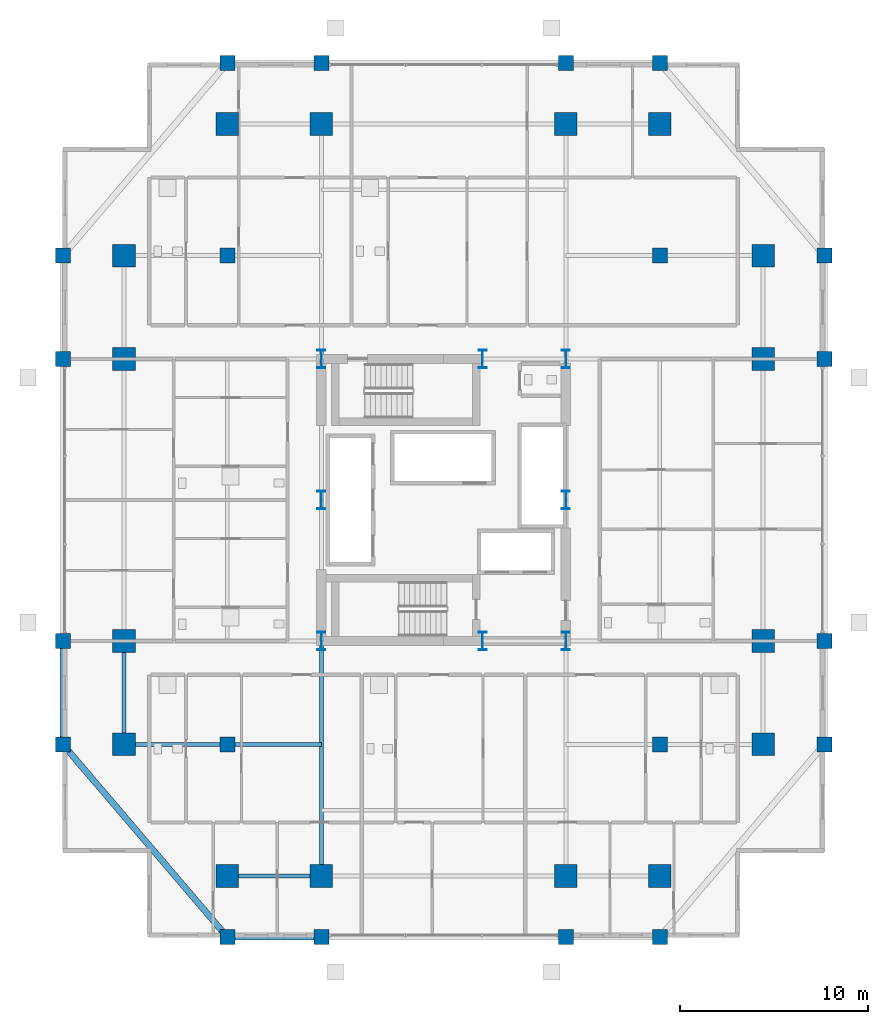
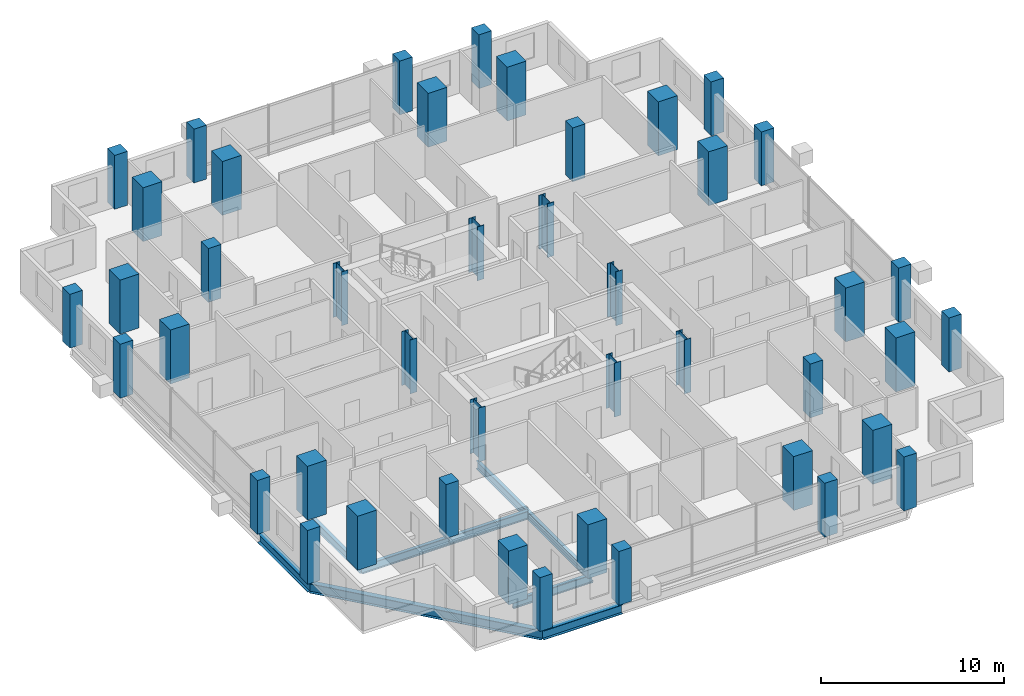
# One storey, part 1 of 20: 44 columns, 8 beams.
"""IFC4 building model written with IfcOpenShell, lengths in metres."""

import ifcopenshell
import ifcopenshell.guid

model = None  # the IFC model being written
_history = None  # IfcOwnerHistory: only IFC2X3 demands one
_inside = {}  # id of a spatial element -> (the spatial element, [elements in it])
_under = {}  # id of a project, library or spatial element -> (it, [spatial elements below it])
_declared = {}  # id of a project -> (the project, [libraries it declares])
_typed = {}  # id of a type object -> (the type object, [elements of that type])
_made_of = {}  # id of a material, layer set ... -> (it, [elements and type objects made of it])


def new_model(schema):
    """Start an empty IFC model of exactly this schema.

    Asked for "IFC4X3", IfcOpenShell would pick the latest addendum, in which some entities
    have other attributes; the version numbers below select the first issue.
    IFC2X3 requires an IfcOwnerHistory on every rooted entity: one is made here for all.
    """
    global model, _history
    if schema == "IFC4X3":
        model = ifcopenshell.file(schema_version=(4, 3, 0, 0))
    else:
        model = ifcopenshell.file(schema=schema)
    _inside.clear()
    _under.clear()
    _declared.clear()
    _typed.clear()
    _made_of.clear()
    _history = None
    if model.schema == "IFC2X3":
        org = make("IfcOrganization", Name="unknown")
        user = make(
            "IfcPersonAndOrganization",
            ThePerson=make("IfcPerson", FamilyName="unknown"),
            TheOrganization=org,
        )
        app = make(
            "IfcApplication",
            ApplicationDeveloper=org,
            Version="unknown",
            ApplicationFullName="unknown",
            ApplicationIdentifier="unknown",
        )
        _history = make(
            "IfcOwnerHistory",
            OwningUser=user,
            OwningApplication=app,
            ChangeAction="ADDED",
            CreationDate=0,
        )
    return model


def make(cls, **values):
    """One entity of the class cls with the attributes given. An attribute that is None is left unset."""
    return model.create_entity(
        cls, **{name: value for name, value in values.items() if value is not None}
    )


def rooted(cls, **values):
    """An entity with a GlobalId (a new one), such as an element, a storey or a relation."""
    return make(cls, GlobalId=ifcopenshell.guid.new(), OwnerHistory=_history, **values)


def si_unit(unit_type, name, prefix=None):
    """IfcSIUnit, for example si_unit("LENGTHUNIT", "METRE", prefix="MILLI")."""
    return make("IfcSIUnit", UnitType=unit_type, Prefix=prefix, Name=name)


def assignment(units):
    """IfcUnitAssignment: the units of a project."""
    return None if units is None else make("IfcUnitAssignment", Units=units)


def point(xyz):
    """IfcCartesianPoint."""
    return None if xyz is None else make("IfcCartesianPoint", Coordinates=xyz)


def direction(xyz):
    """IfcDirection."""
    return None if xyz is None else make("IfcDirection", DirectionRatios=xyz)


def frame(location, z_axis=None, x_axis=None):
    """IfcAxis2Placement3D, a coordinate frame: its origin and axes. An axis left out is left unset."""
    return make(
        "IfcAxis2Placement3D",
        Location=point(location),
        Axis=direction(z_axis),
        RefDirection=direction(x_axis),
    )


def frame_2d(location, x_axis=None):
    """IfcAxis2Placement2D, a coordinate frame in the plane: its origin and x axis."""
    return make(
        "IfcAxis2Placement2D", Location=point(location), RefDirection=direction(x_axis)
    )


def origin():
    """The frame at (0, 0, 0) with its axes left unset."""
    return frame((0.0, 0.0, 0.0))


def origin_2d():
    """The frame at (0, 0) in the plane with its x axis left unset."""
    return frame_2d((0.0, 0.0))


def place(relative_to, where):
    """IfcLocalPlacement: puts the frame where relative to a parent placement (None: the world)."""
    return make(
        "IfcLocalPlacement", PlacementRelTo=relative_to, RelativePlacement=where
    )


def context(
    kind, dimensions, precision=None, world=None, true_north=None, identifier=None
):
    """IfcGeometricRepresentationContext, for example the 3D "Model" context."""
    return make(
        "IfcGeometricRepresentationContext",
        ContextIdentifier=identifier,
        ContextType=kind,
        CoordinateSpaceDimension=dimensions,
        Precision=precision,
        WorldCoordinateSystem=world,
        TrueNorth=true_north,
    )


def subcontext(parent, identifier, kind, view, scale=None):
    """IfcGeometricRepresentationSubContext, for example "Body" below "Model"."""
    return make(
        "IfcGeometricRepresentationSubContext",
        ContextIdentifier=identifier,
        ContextType=kind,
        ParentContext=parent,
        TargetScale=scale,
        TargetView=view,
    )


def project(units=None, contexts=None):
    """IfcProject with its units and contexts."""
    return rooted(
        "IfcProject",
        Name="project",
        RepresentationContexts=contexts,
        UnitsInContext=assignment(units),
    )


def spatial(cls, under=None, at=None, **own):
    """A site, building, storey or space (cls), placed at a placement, below another one or the project."""
    s = rooted(cls, ObjectPlacement=at, **own)
    if under is not None:
        _under.setdefault(under.id(), (under, []))[1].append(s)
    return s


def profile(cls, at=None, kind="AREA", **sizes):
    """A parametric profile (cls). Its sizes go by their IFC names, for example OverallWidth=200.0."""
    return make(cls, ProfileType=kind, Position=at, **sizes)


def rectangle(**sizes):
    """IfcRectangleProfileDef."""
    return profile("IfcRectangleProfileDef", **sizes)


def i_section(**sizes):
    """IfcIShapeProfileDef."""
    return profile("IfcIShapeProfileDef", **sizes)


def extrude(swept, where, along, depth):
    """IfcExtrudedAreaSolid: the profile swept, set in the frame where, extruded along a direction by depth."""
    return make(
        "IfcExtrudedAreaSolid",
        SweptArea=swept,
        Position=where,
        ExtrudedDirection=direction(along),
        Depth=depth,
    )


def shape(context_of_items, identifier, shape_type, items):
    """IfcShapeRepresentation: the items that make up one representation, for example the "Body"."""
    return make(
        "IfcShapeRepresentation",
        ContextOfItems=context_of_items,
        RepresentationIdentifier=identifier,
        RepresentationType=shape_type,
        Items=items,
    )


def material(Name=None, Category=None):
    """IfcMaterial."""
    return make("IfcMaterial", Name=Name, Category=Category)


def material_profile(
    of_material, cross_section, Name=None, Category=None, Priority=None
):
    """IfcMaterialProfile: a cross section and its material."""
    return make(
        "IfcMaterialProfile",
        Name=Name,
        Material=of_material,
        Profile=cross_section,
        Priority=Priority,
        Category=Category,
    )


def profile_set(profiles, Name=None, composite=None):
    """IfcMaterialProfileSet."""
    return make(
        "IfcMaterialProfileSet",
        Name=Name,
        MaterialProfiles=profiles,
        CompositeProfile=composite,
    )


def made_of(thing, what):
    """Note that an element or type object is made of a material, layer set ...; save() writes the relation."""
    if what is not None:
        _made_of.setdefault(what.id(), (what, []))[1].append(thing)
    return thing


def type_object(cls, material=None, **own):
    """A type object (cls), such as IfcWallType, which elements share."""
    return made_of(rooted(cls, **own), material)


def element(
    cls,
    number,
    at=None,
    inside=None,
    cuts=None,
    type_object=None,
    material=None,
    context=None,
    identifier="Body",
    shape_type=None,
    held_by="IfcProductDefinitionShape",
    body=None,
    shapes=None,
    **own,
):
    """One element of the class cls, such as IfcWall. Its Tag is "e" and its number.

    at: its placement. inside: the storey or other place that contains it. cuts: it is an
    opening in that element (IfcRelVoidsElement). A single representation is given by context,
    identifier, shape_type and body (its items); several are given by shapes. held_by: the class
    of the entity that holds the representations. save() writes the other relations.
    """
    e = rooted(cls, Tag="e%d" % number, ObjectPlacement=at, **own)
    if body is not None:
        shapes = [shape(context, identifier, shape_type, body)]
    if shapes is not None:
        e.Representation = make(held_by, Representations=shapes)
    if inside is not None:
        _inside.setdefault(inside.id(), (inside, []))[1].append(e)
    if cuts is not None:
        rooted(
            "IfcRelVoidsElement", RelatingBuildingElement=cuts, RelatedOpeningElement=e
        )
    if type_object is not None:
        _typed.setdefault(type_object.id(), (type_object, []))[1].append(e)
    return made_of(e, material)


def aggregate(whole, parts):
    """IfcRelAggregates: a whole, such as a stair, and the parts it consists of."""
    return rooted("IfcRelAggregates", RelatingObject=whole, RelatedObjects=parts)


def save(model, path):
    """Write the relations noted so far, then the file.

    IfcRelAggregates (storeys below a building ...), IfcRelContainedInSpatialStructure (elements
    in a storey), IfcRelDefinesByType, IfcRelAssociatesMaterial and IfcRelDeclares: one each for
    every whole, place, type object, material and project.
    """
    for whole, parts in _under.values():
        aggregate(whole, parts)
    for where, things in _inside.values():
        rooted(
            "IfcRelContainedInSpatialStructure",
            RelatedElements=things,
            RelatingStructure=where,
        )
    for kind, things in _typed.values():
        rooted("IfcRelDefinesByType", RelatedObjects=things, RelatingType=kind)
    for what, things in _made_of.values():
        rooted("IfcRelAssociatesMaterial", RelatedObjects=things, RelatingMaterial=what)
    for by, libraries in _declared.values():
        rooted("IfcRelDeclares", RelatingContext=by, RelatedDefinitions=libraries)
    model.write(path)


model = new_model("IFC4")

# Units and contexts
model_context = context("Model", 3, precision=1e-05, world=origin(), true_north=direction((0.0, 1.0)))
body_context = subcontext(model_context, "Body", "Model", "MODEL_VIEW")
ifc_project = project(units=[si_unit("LENGTHUNIT", "METRE"), si_unit("AREAUNIT", "SQUARE_METRE"), si_unit("VOLUMEUNIT", "CUBIC_METRE"), si_unit("PLANEANGLEUNIT", "RADIAN"), si_unit("MASSUNIT", "GRAM", prefix="KILO")], contexts=[model_context])

# Site, building, storey
site_placement = place(None, origin())
site = spatial("IfcSite", under=ifc_project, at=site_placement, CompositionType="ELEMENT")
building_placement = place(site_placement, origin())
building = spatial("IfcBuilding", under=site, at=building_placement, Name="Barlavira Tower and Art Museum", CompositionType="ELEMENT")
storey_placement = place(building_placement, frame((0.0, 0.0, 102.60009765625)))
storey = spatial("IfcBuildingStorey", under=building, at=storey_placement, Name="L25", CompositionType="ELEMENT", Elevation=102.60009765625)

# Columns
ifc_material_1 = material(Name="Steel S355", Category="steel")
ifc_material_profile_1 = material_profile(ifc_material_1, i_section(OverallWidth=0.419921875, OverallDepth=0.9599609375, WebThickness=0.02197265625, FlangeThickness=0.033935546875, at=origin_2d()), Name="W920x387.0")
ifc_profile_set_1 = profile_set([ifc_material_profile_1], Name="Steel S355")
column_type_1 = type_object("IfcColumnType", Name="Core Composite Column W920x387 Steel S355", PredefinedType="COLUMN", material=ifc_profile_set_1)
for number, where, z_axis, x_axis, name in (
    (1, (-6.5, -7.5, 0.0), (0.0, 0.0, 1.0), (1.0, 0.0, 0.0), "L25 Column CC-L25-C1"),
    (2, (2.080078125, -7.5, 0.0), (0.0, 0.0, 1.0), (1.0, 0.0, 0.0), "L25 Column CC-L25-C2"),
    (3, (6.5, -7.5, 0.0), (0.0, 0.0, 1.0), (1.0, 0.0, 0.0), "L25 Column CC-L25-C3"),
    (4, (-6.5, 0.0, 0.0), (0.0, 0.0, 1.0), (1.0, 0.0, 0.0), "L25 Column CC-L25-C4"),
    (5, (6.5, 0.0, 0.0), (0.0, 0.0, 1.0), (1.0, 0.0, 0.0), "L25 Column CC-L25-C5"),
    (6, (-6.5, 7.5, 0.0), (0.0, 0.0, 1.0), (1.0, 0.0, 0.0), "L25 Column CC-L25-C6"),
    (7, (2.080078125, 7.5, 0.0), (0.0, 0.0, 1.0), (1.0, 0.0, 0.0), "L25 Column CC-L25-C7"),
    (8, (6.5, 7.5, 0.0), (0.0, 0.0, 1.0), (1.0, 0.0, 0.0), "L25 Column CC-L25-C8"),
):
    element("IfcColumn", number, at=place(storey_placement, frame(where, z_axis=z_axis, x_axis=x_axis)), inside=storey, type_object=column_type_1, Name=name, PredefinedType="COLUMN", context=body_context, shape_type="SweptSolid", body=[
        extrude(i_section(OverallWidth=0.419921875, OverallDepth=0.9599609375, WebThickness=0.02197265625, FlangeThickness=0.033935546875, at=origin_2d()), origin(), (0.0, 0.0, 1.0), 3.599853515625),
    ])
ifc_material_2 = material(Name="Concrete C60", Category="concrete")
ifc_material_profile_2 = material_profile(ifc_material_2, rectangle(XDim=1.199951171875, YDim=1.199951171875, at=origin_2d()), Name="RC-COL 1200x1200")
ifc_profile_set_2 = profile_set([ifc_material_profile_2], Name="Concrete C60")
column_type_2 = type_object("IfcColumnType", Name="Perimeter Mega Column 1200x1200 Concrete C60", PredefinedType="USERDEFINED", material=ifc_profile_set_2)
for number, where, z_axis, x_axis, name in (
    (9, (-11.5, -20.0, 0.0), (0.0, 0.0, 1.0), (1.0, 0.0, 0.0), "L25 Column MC-L25-M01"),
    (10, (-6.5, -20.0, 0.0), (0.0, 0.0, 1.0), (1.0, 0.0, 0.0), "L25 Column MC-L25-M02"),
    (11, (6.5, -20.0, 0.0), (0.0, 0.0, 1.0), (1.0, 0.0, 0.0), "L25 Column MC-L25-M03"),
    (12, (11.5, -20.0, 0.0), (0.0, 0.0, 1.0), (1.0, 0.0, 0.0), "L25 Column MC-L25-M04"),
    (13, (17.0, -13.0, 0.0), (0.0, 0.0, 1.0), (1.0, 0.0, 0.0), "L25 Column MC-L25-M05"),
    (14, (17.0, -7.5, 0.0), (0.0, 0.0, 1.0), (1.0, 0.0, 0.0), "L25 Column MC-L25-M06"),
    (15, (17.0, 7.5, 0.0), (0.0, 0.0, 1.0), (1.0, 0.0, 0.0), "L25 Column MC-L25-M07"),
    (16, (17.0, 13.0, 0.0), (0.0, 0.0, 1.0), (1.0, 0.0, 0.0), "L25 Column MC-L25-M08"),
    (17, (11.5, 20.0, 0.0), (0.0, 0.0, 1.0), (1.0, 0.0, 0.0), "L25 Column MC-L25-M09"),
    (18, (6.5, 20.0, 0.0), (0.0, 0.0, 1.0), (1.0, 0.0, 0.0), "L25 Column MC-L25-M10"),
    (19, (-6.5, 20.0, 0.0), (0.0, 0.0, 1.0), (1.0, 0.0, 0.0), "L25 Column MC-L25-M11"),
    (20, (-11.5, 20.0, 0.0), (0.0, 0.0, 1.0), (1.0, 0.0, 0.0), "L25 Column MC-L25-M12"),
    (21, (-17.0, 13.0, 0.0), (0.0, 0.0, 1.0), (1.0, 0.0, 0.0), "L25 Column MC-L25-M13"),
    (22, (-17.0, 7.5, 0.0), (0.0, 0.0, 1.0), (1.0, 0.0, 0.0), "L25 Column MC-L25-M14"),
    (23, (-17.0, -7.5, 0.0), (0.0, 0.0, 1.0), (1.0, 0.0, 0.0), "L25 Column MC-L25-M15"),
    (24, (-17.0, -13.0, 0.0), (0.0, 0.0, 1.0), (1.0, 0.0, 0.0), "L25 Column MC-L25-M16"),
):
    element("IfcColumn", number, at=place(storey_placement, frame(where, z_axis=z_axis, x_axis=x_axis)), inside=storey, type_object=column_type_2, Name=name, ObjectType="MEGA COLUMN", PredefinedType="USERDEFINED", context=body_context, shape_type="SweptSolid", body=[
        extrude(rectangle(XDim=1.199951171875, YDim=1.199951171875, at=origin_2d()), origin(), (0.0, 0.0, 1.0), 3.599853515625),
    ])
ifc_material_3 = material(Name="Concrete C50", Category="concrete")
ifc_material_profile_3 = material_profile(ifc_material_3, rectangle(XDim=0.800048828125, YDim=0.800048828125, at=origin_2d()), Name="RC-COL 800x800")
ifc_profile_set_3 = profile_set([ifc_material_profile_3], Name="Concrete C50")
column_type_3 = type_object("IfcColumnType", Name="Podium Frame Column 800x800 Concrete C50", PredefinedType="COLUMN", material=ifc_profile_set_3)
for number, where, z_axis, x_axis, name in (
    (25, (-11.5, -13.0, 0.0), (0.0, 0.0, 1.0), (1.0, 0.0, 0.0), "L25 Column CI-L25-I1"),
    (26, (11.5, -13.0, 0.0), (0.0, 0.0, 1.0), (1.0, 0.0, 0.0), "L25 Column CI-L25-I2"),
    (27, (-11.5, 13.0, 0.0), (0.0, 0.0, 1.0), (1.0, 0.0, 0.0), "L25 Column CI-L25-I3"),
    (28, (11.5, 13.0, 0.0), (0.0, 0.0, 1.0), (1.0, 0.0, 0.0), "L25 Column CI-L25-I4"),
    (29, (-11.5, -23.25, 0.0), (0.0, 0.0, 1.0), (1.0, 0.0, 0.0), "L25 Column CZ2-L25-N01"),
    (30, (-6.5, -23.25, 0.0), (0.0, 0.0, 1.0), (1.0, 0.0, 0.0), "L25 Column CZ2-L25-N02"),
    (31, (6.5, -23.25, 0.0), (0.0, 0.0, 1.0), (1.0, 0.0, 0.0), "L25 Column CZ2-L25-N02B"),
    (32, (11.5, -23.25, 0.0), (0.0, 0.0, 1.0), (1.0, 0.0, 0.0), "L25 Column CZ2-L25-N03"),
    (33, (-20.25, -13.0, 0.0), (0.0, 0.0, 1.0), (1.0, 0.0, 0.0), "L25 Column CZ2-L25-N04"),
    (34, (-20.25, -7.5, 0.0), (0.0, 0.0, 1.0), (1.0, 0.0, 0.0), "L25 Column CZ2-L25-N05"),
    (35, (-20.25, 7.5, 0.0), (0.0, 0.0, 1.0), (1.0, 0.0, 0.0), "L25 Column CZ2-L25-N05B"),
    (36, (-20.25, 13.0, 0.0), (0.0, 0.0, 1.0), (1.0, 0.0, 0.0), "L25 Column CZ2-L25-N06"),
    (37, (-11.5, 23.25, 0.0), (0.0, 0.0, 1.0), (1.0, 0.0, 0.0), "L25 Column CZ2-L25-N07"),
    (38, (-6.5, 23.25, 0.0), (0.0, 0.0, 1.0), (1.0, 0.0, 0.0), "L25 Column CZ2-L25-N08"),
    (39, (6.5, 23.25, 0.0), (0.0, 0.0, 1.0), (1.0, 0.0, 0.0), "L25 Column CZ2-L25-N08B"),
    (40, (11.5, 23.25, 0.0), (0.0, 0.0, 1.0), (1.0, 0.0, 0.0), "L25 Column CZ2-L25-N09"),
    (41, (20.25, -13.0, 0.0), (0.0, 0.0, 1.0), (1.0, 0.0, 0.0), "L25 Column CZ2-L25-N10"),
    (42, (20.25, -7.5, 0.0), (0.0, 0.0, 1.0), (1.0, 0.0, 0.0), "L25 Column CZ2-L25-N11"),
    (43, (20.25, 7.5, 0.0), (0.0, 0.0, 1.0), (1.0, 0.0, 0.0), "L25 Column CZ2-L25-N11B"),
    (44, (20.25, 13.0, 0.0), (0.0, 0.0, 1.0), (1.0, 0.0, 0.0), "L25 Column CZ2-L25-N12"),
):
    element("IfcColumn", number, at=place(storey_placement, frame(where, z_axis=z_axis, x_axis=x_axis)), inside=storey, type_object=column_type_3, Name=name, PredefinedType="COLUMN", context=body_context, shape_type="SweptSolid", body=[
        extrude(rectangle(XDim=0.800048828125, YDim=0.800048828125, at=origin_2d()), origin(), (0.0, 0.0, 1.0), 3.599853515625),
    ])

# Beams
ifc_material_profile_4 = material_profile(ifc_material_1, i_section(OverallWidth=0.327880859375, OverallDepth=0.62890625, WebThickness=0.013916015625, FlangeThickness=0.021484375, at=origin_2d()), Name="W610x174.0")
ifc_profile_set_4 = profile_set([ifc_material_profile_4], Name="Steel S355")
beam_type_1 = type_object("IfcBeamType", Name="Perimeter Spandrel Edge Beam W610x174 Steel S355", PredefinedType="SPANDREL", material=ifc_profile_set_4)
beam_1_placement = place(storey_placement, frame((-11.5, -23.25, -0.53466796875), z_axis=(1.0, 0.0, 0.0), x_axis=(0.0, 1.0, 0.0)))
element("IfcBeam", 45, at=beam_1_placement, inside=storey, type_object=beam_type_1, Name="L25 Spandrel 1", PredefinedType="SPANDREL", context=body_context, shape_type="SweptSolid", body=[
    extrude(i_section(OverallWidth=0.327880859375, OverallDepth=0.62890625, WebThickness=0.013916015625, FlangeThickness=0.021484375, at=origin_2d()), origin(), (0.0, 0.0, 1.0), 5.0),
])
beam_2_placement = place(storey_placement, frame((-20.25, -13.0, -0.53466796875), z_axis=(0.0, 1.0, 0.0), x_axis=(-1.0, 0.0, 0.0)))
element("IfcBeam", 46, at=beam_2_placement, inside=storey, type_object=beam_type_1, Name="L25 Spandrel 15", PredefinedType="SPANDREL", context=body_context, shape_type="SweptSolid", body=[
    extrude(i_section(OverallWidth=0.327880859375, OverallDepth=0.62890625, WebThickness=0.013916015625, FlangeThickness=0.021484375, at=origin_2d()), origin(), (0.0, 0.0, 1.0), 5.5),
])
beam_3_placement = place(storey_placement, frame((-20.25, -13.0, -0.53466796875), z_axis=(0.649262379928, -0.760564502202, 0.0), x_axis=(0.760564502202, 0.649262379928, 0.0)))
element("IfcBeam", 47, at=beam_3_placement, inside=storey, type_object=beam_type_1, Name="L25 Spandrel 16", PredefinedType="SPANDREL", context=body_context, shape_type="SweptSolid", body=[
    extrude(i_section(OverallWidth=0.327880859375, OverallDepth=0.62890625, WebThickness=0.013916015625, FlangeThickness=0.021484375, at=origin_2d()), origin(), (0.0, 0.0, 1.0), 13.476806640625),
])
ifc_material_profile_5 = material_profile(ifc_material_1, i_section(OverallWidth=0.214111328125, OverallDepth=0.549072265625, WebThickness=0.0146484375, FlangeThickness=0.023681640625, at=origin_2d()), Name="W530x138.0")
ifc_profile_set_5 = profile_set([ifc_material_profile_5], Name="Steel S355")
beam_type_2 = type_object("IfcBeamType", Name="Zone 1 Primary Floor Girder W530x138 Steel S355", PredefinedType="BEAM", material=ifc_profile_set_5)
beam_4_placement = place(storey_placement, frame((-11.5, -20.0, -0.49462890625), z_axis=(1.0, 0.0, 0.0), x_axis=(0.0, 1.0, 0.0)))
element("IfcBeam", 48, at=beam_4_placement, inside=storey, type_object=beam_type_2, Name="L25 Girder M-S1", PredefinedType="BEAM", context=body_context, shape_type="SweptSolid", body=[
    extrude(i_section(OverallWidth=0.214111328125, OverallDepth=0.549072265625, WebThickness=0.0146484375, FlangeThickness=0.023681640625, at=origin_2d()), origin(), (0.0, 0.0, 1.0), 5.0),
])
beam_5_placement = place(storey_placement, frame((-17.0, -13.0, -0.49462890625), z_axis=(0.0, 1.0, 0.0), x_axis=(-1.0, 0.0, 0.0)))
element("IfcBeam", 49, at=beam_5_placement, inside=storey, type_object=beam_type_2, Name="L25 Girder M-W1", PredefinedType="BEAM", context=body_context, shape_type="SweptSolid", body=[
    extrude(i_section(OverallWidth=0.214111328125, OverallDepth=0.549072265625, WebThickness=0.0146484375, FlangeThickness=0.023681640625, at=origin_2d()), origin(), (0.0, 0.0, 1.0), 5.5),
])
beam_6_placement = place(storey_placement, frame((-6.5, -20.0, -0.49462890625), z_axis=(0.0, 1.0, 0.0), x_axis=(-1.0, 0.0, 0.0)))
element("IfcBeam", 50, at=beam_6_placement, inside=storey, type_object=beam_type_2, Name="L25 Girder R-S1", PredefinedType="BEAM", context=body_context, shape_type="SweptSolid", body=[
    extrude(i_section(OverallWidth=0.214111328125, OverallDepth=0.549072265625, WebThickness=0.0146484375, FlangeThickness=0.023681640625, at=origin_2d()), origin(), (0.0, 0.0, 1.0), 12.5),
])
beam_7_placement = place(storey_placement, frame((-17.0, -13.0, -0.49462890625), z_axis=(1.0, 0.0, 0.0), x_axis=(0.0, 1.0, 0.0)))
element("IfcBeam", 51, at=beam_7_placement, inside=storey, type_object=beam_type_2, Name="L25 Girder I-S1", PredefinedType="BEAM", context=body_context, shape_type="SweptSolid", body=[
    extrude(i_section(OverallWidth=0.214111328125, OverallDepth=0.549072265625, WebThickness=0.0146484375, FlangeThickness=0.023681640625, at=origin_2d()), origin(), (0.0, 0.0, 1.0), 5.5),
])
beam_8_placement = place(storey_placement, frame((-11.5, -13.0, -0.49462890625), z_axis=(1.0, 0.0, 0.0), x_axis=(0.0, 1.0, 0.0)))
element("IfcBeam", 52, at=beam_8_placement, inside=storey, type_object=beam_type_2, Name="L25 Girder I-S2", PredefinedType="BEAM", context=body_context, shape_type="SweptSolid", body=[
    extrude(i_section(OverallWidth=0.214111328125, OverallDepth=0.549072265625, WebThickness=0.0146484375, FlangeThickness=0.023681640625, at=origin_2d()), origin(), (0.0, 0.0, 1.0), 5.0),
])

save(model, "model.ifc")
